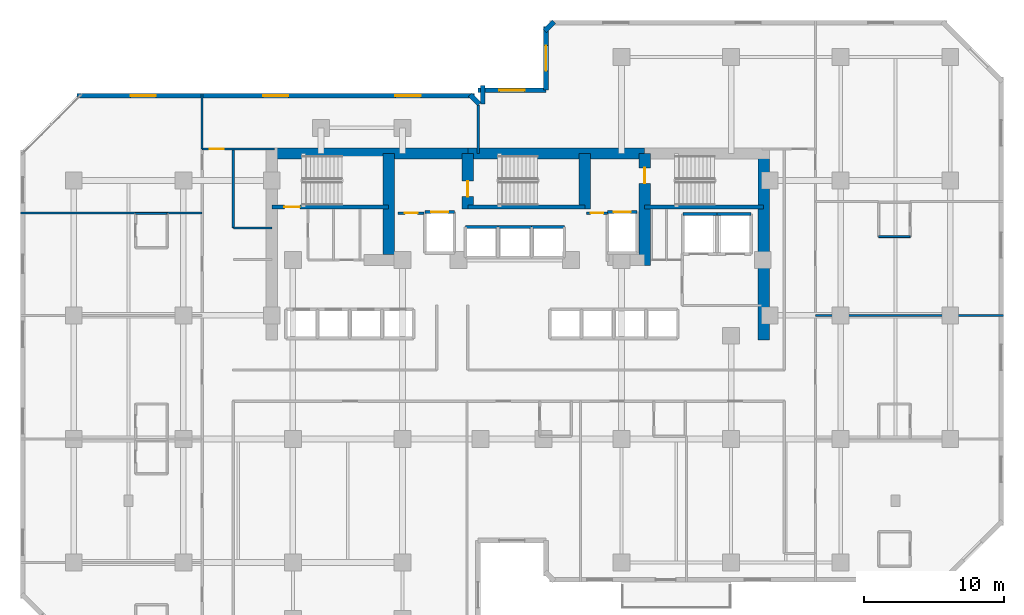
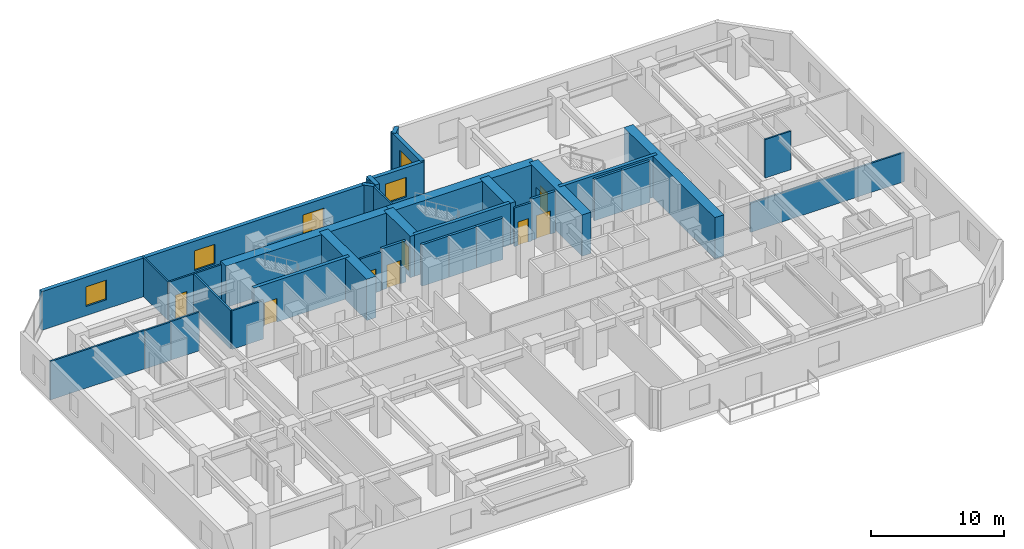
# One storey, part 9 of 12: 35 walls, 8 doors, 5 windows, 13 openings.
"""IFC4 building model written with IfcOpenShell, lengths in metres."""

from ifc_helpers import new_model, si_unit, direction, frame, frame_2d, origin, place, context, subcontext, project, spatial, rectangle, extrude, material, layer, layer_set, type_object, element, fill, save


model = new_model("IFC4")

# Units and contexts
model_context = context("Model", 3, precision=1e-05, world=origin(), true_north=direction((0.0, 1.0)))
body_context = subcontext(model_context, "Body", "Model", "MODEL_VIEW")
ifc_project = project(units=[si_unit("LENGTHUNIT", "METRE"), si_unit("AREAUNIT", "SQUARE_METRE"), si_unit("VOLUMEUNIT", "CUBIC_METRE"), si_unit("PLANEANGLEUNIT", "RADIAN"), si_unit("MASSUNIT", "GRAM", prefix="KILO")], contexts=[model_context])

# Site, building, storey
site_placement = place(None, origin())
site = spatial("IfcSite", under=ifc_project, at=site_placement, CompositionType="ELEMENT")
building_placement = place(site_placement, origin())
building = spatial("IfcBuilding", under=site, at=building_placement, Name="Kestravale Grand Hotel", CompositionType="ELEMENT")
storey_placement = place(building_placement, frame((0.0, 0.0, 91.800048828125)))
storey = spatial("IfcBuildingStorey", under=building, at=storey_placement, Name="L22", CompositionType="ELEMENT", Elevation=91.800048828125)

# Walls
ifc_material_1 = material(Name="Concrete f'c 60 MPa", Category="concrete")
ifc_layer_1 = layer(ifc_material_1, 0.800048828125)
ifc_layer_set_1 = layer_set([ifc_layer_1], Name="EW-CORE-800")
wall_type_1 = type_object("IfcWallType", Name="EW-CORE-800", PredefinedType="SHEAR", material=ifc_layer_set_1)
wall_1_placement = place(storey_placement, frame((21.5, 40.320068359375, 0.0), z_axis=(0.0, 0.0, 1.0), x_axis=(1.0, 0.0, 0.0)))
element("IfcWall", 1, at=wall_1_placement, inside=storey, type_object=wall_type_1, Name="L22 core shear wall N1", PredefinedType="SHEAR", context=body_context, shape_type="SweptSolid", body=[
    extrude(rectangle(XDim=14.35009765625, YDim=0.800048828125, at=frame_2d((7.175048828125, 0.0))), origin(), (0.0, 0.0, 1.0), 3.800048828125),
])
wall_2_placement = place(storey_placement, frame((35.85009765625, 40.320068359375, 0.0), z_axis=(0.0, 0.0, 1.0), x_axis=(1.0, 0.0, 0.0)))
element("IfcWall", 2, at=wall_2_placement, inside=storey, type_object=wall_type_1, Name="L22 core shear wall N2", PredefinedType="SHEAR", context=body_context, shape_type="SweptSolid", body=[
    extrude(rectangle(XDim=12.599853515625, YDim=0.800048828125, at=frame_2d((6.2998046875, 0.0))), origin(), (0.0, 0.0, 1.0), 3.800048828125),
])
wall_3_placement = place(storey_placement, frame((56.919921875, 27.050048828125, 0.0), z_axis=(0.0, 0.0, 1.0), x_axis=(0.0, 1.0, 0.0)))
element("IfcWall", 3, at=wall_3_placement, inside=storey, type_object=wall_type_1, Name="L22 core shear wall E1", PredefinedType="SHEAR", context=body_context, shape_type="SweptSolid", body=[
    extrude(rectangle(XDim=13.669921875, YDim=0.800048828125, at=frame_2d((6.8349609375, 0.0))), origin(), (0.0, 0.0, 1.0), 3.800048828125),
])
wall_4_placement = place(storey_placement, frame((30.219970703125, 33.14990234375, 0.0), z_axis=(0.0, 0.0, 1.0), x_axis=(0.0, 1.0, 0.0)))
element("IfcWall", 4, at=wall_4_placement, inside=storey, type_object=wall_type_1, Name="L22 core shear wall X1", PredefinedType="SHEAR", context=body_context, shape_type="SweptSolid", body=[
    extrude(rectangle(XDim=7.170166015625, YDim=0.800048828125, at=frame_2d((3.5849609375, 0.0))), origin(), (0.0, 0.0, 1.0), 3.800048828125),
])

# Wall, opening, door
wall_5_placement = place(storey_placement, frame((35.85009765625, 36.3701171875, 0.0), z_axis=(0.0, 0.0, 1.0), x_axis=(0.0, 1.0, 0.0)))
wall_5 = element("IfcWall", 5, at=wall_5_placement, inside=storey, type_object=wall_type_1, Name="L22 core shear wall X2", PredefinedType="SHEAR", context=body_context, shape_type="SweptSolid", body=[
    extrude(rectangle(XDim=3.949951171875, YDim=0.800048828125, at=frame_2d((1.97509765625, 0.0))), origin(), (0.0, 0.0, 1.0), 3.800048828125),
])
opening_1_placement = place(wall_5_placement, frame((0.8798828125, 0.0, 0.0)))
opening_1 = element("IfcOpeningElement", 6, at=opening_1_placement, cuts=wall_5, Name="Opening D-ST-1100", PredefinedType="OPENING", context=body_context, shape_type="SweptSolid", body=[
    extrude(rectangle(XDim=1.10009765625, YDim=2.14990234375, at=frame_2d((0.550048828125, 1.074951171875))), frame((0.0, 0.409912109375, 0.0), z_axis=(0.0, -1.0, 0.0), x_axis=(1.0, 0.0, 0.0)), (0.0, 0.0, 1.0), 0.820068359375),
])
ifc_material_2 = material(Name="Galvanised 90-minute fire-rated steel stair door", Category="steel")
door_type_1 = type_object("IfcDoorType", Name="D-ST-1100", OperationType="NOTDEFINED", PredefinedType="DOOR", material=ifc_material_2)
door_1_placement = place(opening_1_placement, origin())
door_1 = element("IfcDoor", 7, at=door_1_placement, inside=storey, type_object=door_type_1, Name="L22 Stair ST-2 FSAE fire door", OperationType="SINGLE_SWING_RIGHT", OverallHeight=2.14990234375, OverallWidth=1.10009765625, PredefinedType="DOOR", context=body_context, shape_type="SweptSolid", body=[
    extrude(rectangle(XDim=1.10009765625, YDim=2.14990234375, at=frame_2d((0.550048828125, 1.074951171875))), frame((0.0, 0.02490234375, 0.0), z_axis=(0.0, -1.0, 0.0), x_axis=(1.0, 0.0, 0.0)), (0.0, 0.0, 1.0), 0.050048828125),
])
fill(opening_1, door_1)

# Wall
wall_6_placement = place(storey_placement, frame((44.179931640625, 36.3701171875, 0.0), z_axis=(0.0, 0.0, 1.0), x_axis=(0.0, 1.0, 0.0)))
element("IfcWall", 8, at=wall_6_placement, inside=storey, type_object=wall_type_1, Name="L22 core shear wall X3", PredefinedType="SHEAR", context=body_context, shape_type="SweptSolid", body=[
    extrude(rectangle(XDim=3.949951171875, YDim=0.800048828125, at=frame_2d((1.97509765625, 0.0))), origin(), (0.0, 0.0, 1.0), 3.800048828125),
])

# Wall, opening, door
wall_7_placement = place(storey_placement, frame((48.449951171875, 32.35009765625, 0.0), z_axis=(0.0, 0.0, 1.0), x_axis=(0.0, 1.0, 0.0)))
wall_7 = element("IfcWall", 9, at=wall_7_placement, inside=storey, type_object=wall_type_1, Name="L22 core shear wall X4", PredefinedType="SHEAR", context=body_context, shape_type="SweptSolid", body=[
    extrude(rectangle(XDim=7.969970703125, YDim=0.800048828125, at=frame_2d((3.98486328125, 0.0))), origin(), (0.0, 0.0, 1.0), 3.800048828125),
])
opening_2_placement = place(wall_7_placement, frame((5.85009765625, 0.0, 0.0)))
opening_2 = element("IfcOpeningElement", 10, at=opening_2_placement, cuts=wall_7, Name="Opening D-ST-1100", PredefinedType="OPENING", context=body_context, shape_type="SweptSolid", body=[
    extrude(rectangle(XDim=1.10009765625, YDim=2.14990234375, at=frame_2d((0.550048828125, 1.074951171875))), frame((0.0, 0.409912109375, 0.0), z_axis=(0.0, -1.0, 0.0), x_axis=(1.0, 0.0, 0.0)), (0.0, 0.0, 1.0), 0.820068359375),
])
door_2_placement = place(opening_2_placement, origin())
door_2 = element("IfcDoor", 11, at=door_2_placement, inside=storey, type_object=door_type_1, Name="L22 Stair ST-3 FSAE fire door", OperationType="SINGLE_SWING_RIGHT", OverallHeight=2.14990234375, OverallWidth=1.10009765625, PredefinedType="DOOR", context=body_context, shape_type="SweptSolid", body=[
    extrude(rectangle(XDim=1.10009765625, YDim=2.14990234375, at=frame_2d((0.550048828125, 1.074951171875))), frame((0.0, 0.02490234375, 0.0), z_axis=(0.0, -1.0, 0.0), x_axis=(1.0, 0.0, 0.0)), (0.0, 0.0, 1.0), 0.050048828125),
])
fill(opening_2, door_2)

# Wall
ifc_material_3 = material(Name="Precast concrete f'c 45 MPa", Category="concrete")
ifc_layer_2 = layer(ifc_material_3, 0.340087890625)
ifc_layer_set_2 = layer_set([ifc_layer_2], Name="EW-PREC-340")
wall_type_2 = type_object("IfcWallType", Name="EW-PREC-340", PredefinedType="SOLIDWALL", material=ifc_layer_set_2)
wall_8_placement = place(storey_placement, frame((41.99853515625, 49.7080078125, 0.0), z_axis=(0.0, 0.0, 1.0), x_axis=(-0.707238225886, -0.706975312048, 0.0)))
element("IfcWall", 12, at=wall_8_placement, inside=storey, type_object=wall_type_2, Name="L22 fluted precast facade wall 12", PredefinedType="SOLIDWALL", context=body_context, shape_type="SweptSolid", body=[
    extrude(rectangle(XDim=0.9287109375, YDim=0.340087890625, at=frame_2d((0.46435546875, 0.0))), origin(), (0.0, 0.0, 1.0), 3.5400390625),
])

# Wall, opening, window
wall_9_placement = place(storey_placement, frame((41.419921875, 49.3701171875, 0.0), z_axis=(0.0, 0.0, 1.0), x_axis=(0.0, -1.0, 0.0)))
wall_9 = element("IfcWall", 13, at=wall_9_placement, inside=storey, type_object=wall_type_2, Name="L22 fluted precast facade wall 13", PredefinedType="SOLIDWALL", context=body_context, shape_type="SweptSolid", body=[
    extrude(rectangle(XDim=4.5400390625, YDim=0.340087890625, at=frame_2d((2.27001953125, 0.0))), origin(), (0.0, 0.0, 1.0), 3.5400390625),
])
opening_3_placement = place(wall_9_placement, frame((1.3701171875, 0.0, 0.85009765625)))
opening_3 = element("IfcOpeningElement", 14, at=opening_3_placement, cuts=wall_9, Name="Opening W-GUEST-1800", PredefinedType="OPENING", context=body_context, shape_type="SweptSolid", body=[
    extrude(rectangle(XDim=1.800048828125, YDim=1.800048828125, at=frame_2d((0.89990234375, 0.89990234375))), frame((0.0, 0.179931640625, 0.0), z_axis=(0.0, -1.0, 0.0), x_axis=(1.0, 0.0, 0.0)), (0.0, 0.0, 1.0), 0.360107421875),
])
ifc_material_4 = material(Name="Insulated low-E double glazing in aluminium frame", Category="aluminium")
window_type = type_object("IfcWindowType", Name="W-GUEST-1800", PartitioningType="DOUBLE_PANEL_VERTICAL", PredefinedType="WINDOW", material=ifc_material_4)
window_1_placement = place(opening_3_placement, origin())
window_1 = element("IfcWindow", 15, at=window_1_placement, inside=storey, type_object=window_type, Name="L22 exterior window 13.1", OverallHeight=1.800048828125, OverallWidth=1.800048828125, PartitioningType="SINGLE_PANEL", PredefinedType="WINDOW", context=body_context, shape_type="SweptSolid", body=[
    extrude(rectangle(XDim=1.800048828125, YDim=1.800048828125, at=frame_2d((0.89990234375, 0.89990234375))), frame((0.0, 0.030029296875, 0.0), z_axis=(0.0, -1.0, 0.0), x_axis=(1.0, 0.0, 0.0)), (0.0, 0.0, 1.0), 0.06005859375),
])
fill(opening_3, window_1)

wall_10_placement = place(storey_placement, frame((41.419921875, 44.830078125, 0.0), z_axis=(0.0, 0.0, 1.0), x_axis=(-1.0, 0.0, 0.0)))
wall_10 = element("IfcWall", 16, at=wall_10_placement, inside=storey, type_object=wall_type_2, Name="L22 fluted precast facade wall 14", PredefinedType="SOLIDWALL", context=body_context, shape_type="SweptSolid", body=[
    extrude(rectangle(XDim=4.83984375, YDim=0.340087890625, at=frame_2d((2.419921875, 0.0))), origin(), (0.0, 0.0, 1.0), 3.5400390625),
])
opening_4_placement = place(wall_10_placement, frame((1.52001953125, 0.0, 0.85009765625)))
opening_4 = element("IfcOpeningElement", 17, at=opening_4_placement, cuts=wall_10, Name="Opening W-GUEST-1800", PredefinedType="OPENING", context=body_context, shape_type="SweptSolid", body=[
    extrude(rectangle(XDim=1.800048828125, YDim=1.800048828125, at=frame_2d((0.89990234375, 0.89990234375))), frame((0.0, 0.179931640625, 0.0), z_axis=(0.0, -1.0, 0.0), x_axis=(1.0, 0.0, 0.0)), (0.0, 0.0, 1.0), 0.360107421875),
])
window_2_placement = place(opening_4_placement, origin())
window_2 = element("IfcWindow", 18, at=window_2_placement, inside=storey, type_object=window_type, Name="L22 exterior window 14.1", OverallHeight=1.800048828125, OverallWidth=1.800048828125, PartitioningType="SINGLE_PANEL", PredefinedType="WINDOW", context=body_context, shape_type="SweptSolid", body=[
    extrude(rectangle(XDim=1.800048828125, YDim=1.800048828125, at=frame_2d((0.89990234375, 0.89990234375))), frame((0.0, 0.030029296875, 0.0), z_axis=(0.0, -1.0, 0.0), x_axis=(1.0, 0.0, 0.0)), (0.0, 0.0, 1.0), 0.06005859375),
])
fill(opening_4, window_2)

# Walls
wall_11_placement = place(storey_placement, frame((36.919921875, 45.169921875, 0.0), z_axis=(0.0, 0.0, 1.0), x_axis=(0.0, -1.0, 0.0)))
element("IfcWall", 19, at=wall_11_placement, inside=storey, type_object=wall_type_2, Name="L22 fluted precast facade wall 15", PredefinedType="SOLIDWALL", context=body_context, shape_type="SweptSolid", body=[
    extrude(rectangle(XDim=1.33984375, YDim=0.340087890625, at=frame_2d((0.669921875, 0.0))), origin(), (0.0, 0.0, 1.0), 3.5400390625),
])
wall_12_placement = place(storey_placement, frame((36.658203125, 43.8515625, 0.0), z_axis=(0.0, 0.0, 1.0), x_axis=(-0.707238225886, 0.706975312048, 0.0)))
element("IfcWall", 20, at=wall_12_placement, inside=storey, type_object=wall_type_2, Name="L22 fluted precast facade wall 16", PredefinedType="SOLIDWALL", context=body_context, shape_type="SweptSolid", body=[
    extrude(rectangle(XDim=0.9287109375, YDim=0.340087890625, at=frame_2d((0.46435546875, 0.0))), origin(), (0.0, 0.0, 1.0), 3.5400390625),
])

# Wall, openings, windows
wall_13_placement = place(storey_placement, frame((36.320068359375, 44.429931640625, 0.0), z_axis=(0.0, 0.0, 1.0), x_axis=(-1.0, 0.0, 0.0)))
wall_13 = element("IfcWall", 21, at=wall_13_placement, inside=storey, type_object=wall_type_2, Name="L22 fluted precast facade wall 17", PredefinedType="SOLIDWALL", context=body_context, shape_type="SweptSolid", body=[
    extrude(rectangle(XDim=28.2900390625, YDim=0.340087890625, at=frame_2d((14.14501953125, 0.0))), origin(), (0.0, 0.0, 1.0), 3.5400390625),
])
opening_5_placement = place(wall_13_placement, frame((3.81494140625, 0.0, 0.85009765625)))
opening_5 = element("IfcOpeningElement", 22, at=opening_5_placement, cuts=wall_13, Name="Opening W-GUEST-1800", PredefinedType="OPENING", context=body_context, shape_type="SweptSolid", body=[
    extrude(rectangle(XDim=1.800048828125, YDim=1.800048828125, at=frame_2d((0.89990234375, 0.89990234375))), frame((0.0, 0.179931640625, 0.0), z_axis=(0.0, -1.0, 0.0), x_axis=(1.0, 0.0, 0.0)), (0.0, 0.0, 1.0), 0.360107421875),
])
opening_6_placement = place(wall_13_placement, frame((13.2451171875, 0.0, 0.85009765625)))
opening_6 = element("IfcOpeningElement", 23, at=opening_6_placement, cuts=wall_13, Name="Opening W-GUEST-1800", PredefinedType="OPENING", context=body_context, shape_type="SweptSolid", body=[
    extrude(rectangle(XDim=1.800048828125, YDim=1.800048828125, at=frame_2d((0.89990234375, 0.89990234375))), frame((0.0, 0.179931640625, 0.0), z_axis=(0.0, -1.0, 0.0), x_axis=(1.0, 0.0, 0.0)), (0.0, 0.0, 1.0), 0.360107421875),
])
opening_7_placement = place(wall_13_placement, frame((22.675048828125, 0.0, 0.85009765625)))
opening_7 = element("IfcOpeningElement", 24, at=opening_7_placement, cuts=wall_13, Name="Opening W-GUEST-1800", PredefinedType="OPENING", context=body_context, shape_type="SweptSolid", body=[
    extrude(rectangle(XDim=1.800048828125, YDim=1.800048828125, at=frame_2d((0.89990234375, 0.89990234375))), frame((0.0, 0.179931640625, 0.0), z_axis=(0.0, -1.0, 0.0), x_axis=(1.0, 0.0, 0.0)), (0.0, 0.0, 1.0), 0.360107421875),
])
window_3_placement = place(opening_5_placement, origin())
window_3 = element("IfcWindow", 25, at=window_3_placement, inside=storey, type_object=window_type, Name="L22 exterior window 17.1", OverallHeight=1.800048828125, OverallWidth=1.800048828125, PartitioningType="SINGLE_PANEL", PredefinedType="WINDOW", context=body_context, shape_type="SweptSolid", body=[
    extrude(rectangle(XDim=1.800048828125, YDim=1.800048828125, at=frame_2d((0.89990234375, 0.89990234375))), frame((0.0, 0.030029296875, 0.0), z_axis=(0.0, -1.0, 0.0), x_axis=(1.0, 0.0, 0.0)), (0.0, 0.0, 1.0), 0.06005859375),
])
fill(opening_5, window_3)
window_4_placement = place(opening_6_placement, origin())
window_4 = element("IfcWindow", 26, at=window_4_placement, inside=storey, type_object=window_type, Name="L22 exterior window 17.2", OverallHeight=1.800048828125, OverallWidth=1.800048828125, PartitioningType="SINGLE_PANEL", PredefinedType="WINDOW", context=body_context, shape_type="SweptSolid", body=[
    extrude(rectangle(XDim=1.800048828125, YDim=1.800048828125, at=frame_2d((0.89990234375, 0.89990234375))), frame((0.0, 0.030029296875, 0.0), z_axis=(0.0, -1.0, 0.0), x_axis=(1.0, 0.0, 0.0)), (0.0, 0.0, 1.0), 0.06005859375),
])
fill(opening_6, window_4)
window_5_placement = place(opening_7_placement, origin())
window_5 = element("IfcWindow", 27, at=window_5_placement, inside=storey, type_object=window_type, Name="L22 exterior window 17.3", OverallHeight=1.800048828125, OverallWidth=1.800048828125, PartitioningType="SINGLE_PANEL", PredefinedType="WINDOW", context=body_context, shape_type="SweptSolid", body=[
    extrude(rectangle(XDim=1.800048828125, YDim=1.800048828125, at=frame_2d((0.89990234375, 0.89990234375))), frame((0.0, 0.030029296875, 0.0), z_axis=(0.0, -1.0, 0.0), x_axis=(1.0, 0.0, 0.0)), (0.0, 0.0, 1.0), 0.06005859375),
])
fill(opening_7, window_5)

# Wall, opening, door
ifc_material_5 = material(Name="Concrete f'c 45 MPa", Category="concrete")
ifc_layer_3 = layer(ifc_material_5, 0.300048828125)
ifc_layer_set_3 = layer_set([ifc_layer_3], Name="EW-STAIR-300")
wall_type_3 = type_object("IfcWallType", Name="EW-STAIR-300", PredefinedType="SHEAR", material=ifc_layer_set_3)
wall_14_placement = place(storey_placement, frame((21.89990234375, 36.52001953125, 0.0), z_axis=(0.0, 0.0, 1.0), x_axis=(1.0, 0.0, 0.0)))
wall_14 = element("IfcWall", 28, at=wall_14_placement, inside=storey, type_object=wall_type_3, Name="L22 stair enclosure shear wall SST1", PredefinedType="SHEAR", context=body_context, shape_type="SweptSolid", body=[
    extrude(rectangle(XDim=8.320068359375, YDim=0.300048828125, at=frame_2d((4.16015625, 0.0))), origin(), (0.0, 0.0, 1.0), 3.800048828125),
])
opening_8_placement = place(wall_14_placement, frame((0.89990234375, 0.0, 0.0)))
opening_8 = element("IfcOpeningElement", 29, at=opening_8_placement, cuts=wall_14, Name="Opening D-ST-1100", PredefinedType="OPENING", context=body_context, shape_type="SweptSolid", body=[
    extrude(rectangle(XDim=1.10009765625, YDim=2.14990234375, at=frame_2d((0.550048828125, 1.074951171875))), frame((0.0, 0.159912109375, 0.0), z_axis=(0.0, -1.0, 0.0), x_axis=(1.0, 0.0, 0.0)), (0.0, 0.0, 1.0), 0.320068359375),
])
door_3_placement = place(opening_8_placement, origin())
door_3 = element("IfcDoor", 30, at=door_3_placement, inside=storey, type_object=door_type_1, Name="L22 Stair ST-1 fire door", OperationType="SINGLE_SWING_RIGHT", OverallHeight=2.14990234375, OverallWidth=1.10009765625, PredefinedType="DOOR", context=body_context, shape_type="SweptSolid", body=[
    extrude(rectangle(XDim=1.10009765625, YDim=2.14990234375, at=frame_2d((0.550048828125, 1.074951171875))), frame((0.0, 0.02490234375, 0.0), z_axis=(0.0, -1.0, 0.0), x_axis=(1.0, 0.0, 0.0)), (0.0, 0.0, 1.0), 0.050048828125),
])
fill(opening_8, door_3)

# Walls
wall_15_placement = place(storey_placement, frame((35.85009765625, 36.52001953125, 0.0), z_axis=(0.0, 0.0, 1.0), x_axis=(1.0, 0.0, 0.0)))
element("IfcWall", 31, at=wall_15_placement, inside=storey, type_object=wall_type_3, Name="L22 stair enclosure shear wall SST2", PredefinedType="SHEAR", context=body_context, shape_type="SweptSolid", body=[
    extrude(rectangle(XDim=8.329833984375, YDim=0.300048828125, at=frame_2d((4.1650390625, 0.0))), origin(), (0.0, 0.0, 1.0), 3.800048828125),
])
wall_16_placement = place(storey_placement, frame((48.449951171875, 36.52001953125, 0.0), z_axis=(0.0, 0.0, 1.0), x_axis=(1.0, 0.0, 0.0)))
element("IfcWall", 32, at=wall_16_placement, inside=storey, type_object=wall_type_3, Name="L22 stair enclosure shear wall SST3", PredefinedType="SHEAR", context=body_context, shape_type="SweptSolid", body=[
    extrude(rectangle(XDim=8.469970703125, YDim=0.300048828125, at=frame_2d((4.23486328125, 0.0))), origin(), (0.0, 0.0, 1.0), 3.800048828125),
])
ifc_material_6 = material(Name="Acoustic fire-rated gypsum board partition", Category="other")
ifc_layer_4 = layer(ifc_material_6, 0.159912109375)
ifc_layer_set_4 = layer_set([ifc_layer_4], Name="IW-CORR-160")
wall_type_4 = type_object("IfcWallType", Name="IW-CORR-160", PredefinedType="PARTITIONING", material=ifc_layer_set_4)
wall_17_placement = place(storey_placement, frame((19.159912109375, 35.02001953125, 0.0), z_axis=(0.0, 0.0, 1.0), x_axis=(0.0, 1.0, 0.0)))
element("IfcWall", 33, at=wall_17_placement, inside=storey, type_object=wall_type_4, Name="W-L22-SW-EN", PredefinedType="PARTITIONING", context=body_context, shape_type="SweptSolid", body=[
    extrude(rectangle(XDim=5.6298828125, YDim=0.159912109375, at=frame_2d((2.81494140625, 0.0))), origin(), (0.0, 0.0, 1.0), 3.5400390625),
])
wall_18_placement = place(storey_placement, frame((19.159912109375, 35.02001953125, 0.0), z_axis=(0.0, 0.0, 1.0), x_axis=(1.0, 0.0, 0.0)))
element("IfcWall", 34, at=wall_18_placement, inside=storey, type_object=wall_type_4, Name="W-L22-SW-CN", PredefinedType="PARTITIONING", context=body_context, shape_type="SweptSolid", body=[
    extrude(rectangle(XDim=2.739990234375, YDim=0.159912109375, at=frame_2d((1.3701171875, 0.0))), origin(), (0.0, 0.0, 1.0), 3.5400390625),
])

# Wall, opening, door
ifc_material_7 = material(Name="Fire-rated gypsum board on steel studs with mineral wool", Category="steel")
ifc_layer_5 = layer(ifc_material_7, 0.179931640625)
ifc_layer_set_5 = layer_set([ifc_layer_5], Name="IW-FSAE-180")
wall_type_5 = type_object("IfcWallType", Name="IW-FSAE-180", PredefinedType="PARTITIONING", material=ifc_layer_set_5)
wall_19_placement = place(storey_placement, frame((30.89990234375, 36.080078125, 0.0), z_axis=(0.0, 0.0, 1.0), x_axis=(1.0, 0.0, 0.0)))
wall_19 = element("IfcWall", 35, at=wall_19_placement, inside=storey, type_object=wall_type_5, Name="L22 FSAE Lobby 1 smoke barrier", PredefinedType="PARTITIONING", context=body_context, shape_type="SweptSolid", body=[
    extrude(rectangle(XDim=1.85009765625, YDim=0.179931640625, at=frame_2d((0.925048828125, 0.0))), origin(), (0.0, 0.0, 1.0), 3.5400390625),
])
opening_9_placement = place(wall_19_placement, frame((0.47998046875, 0.0, 0.0)))
opening_9 = element("IfcOpeningElement", 36, at=opening_9_placement, cuts=wall_19, Name="Opening D-FSAE-1000", PredefinedType="OPENING", context=body_context, shape_type="SweptSolid", body=[
    extrude(rectangle(XDim=0.89990234375, YDim=2.14990234375, at=frame_2d((0.449951171875, 1.074951171875))), frame((0.0, 0.099853515625, 0.0), z_axis=(0.0, -1.0, 0.0), x_axis=(1.0, 0.0, 0.0)), (0.0, 0.0, 1.0), 0.199951171875),
])
ifc_material_8 = material(Name="Smoke-gasketed FSAE lobby fire door", Category="steel")
door_type_2 = type_object("IfcDoorType", Name="D-FSAE-1000", OperationType="NOTDEFINED", PredefinedType="DOOR", material=ifc_material_8)
door_4_placement = place(opening_9_placement, origin())
door_4 = element("IfcDoor", 37, at=door_4_placement, inside=storey, type_object=door_type_2, Name="L22 FSAE Lobby 1 fire door", OperationType="SINGLE_SWING_RIGHT", OverallHeight=2.14990234375, OverallWidth=0.89990234375, PredefinedType="DOOR", context=body_context, shape_type="SweptSolid", body=[
    extrude(rectangle(XDim=0.89990234375, YDim=2.14990234375, at=frame_2d((0.449951171875, 1.074951171875))), frame((0.0, 0.02490234375, 0.0), z_axis=(0.0, -1.0, 0.0), x_axis=(1.0, 0.0, 0.0)), (0.0, 0.0, 1.0), 0.050048828125),
])
fill(opening_9, door_4)

wall_20_placement = place(storey_placement, frame((44.300048828125, 36.080078125, 0.0), z_axis=(0.0, 0.0, 1.0), x_axis=(1.0, 0.0, 0.0)))
wall_20 = element("IfcWall", 38, at=wall_20_placement, inside=storey, type_object=wall_type_5, Name="L22 FSAE Lobby 2 smoke barrier", PredefinedType="PARTITIONING", context=body_context, shape_type="SweptSolid", body=[
    extrude(rectangle(XDim=1.5, YDim=0.179931640625, at=frame_2d((0.75, 0.0))), origin(), (0.0, 0.0, 1.0), 3.5400390625),
])
opening_10_placement = place(wall_20_placement, frame((0.300048828125, 0.0, 0.0)))
opening_10 = element("IfcOpeningElement", 39, at=opening_10_placement, cuts=wall_20, Name="Opening D-FSAE-1000", PredefinedType="OPENING", context=body_context, shape_type="SweptSolid", body=[
    extrude(rectangle(XDim=0.89990234375, YDim=2.14990234375, at=frame_2d((0.449951171875, 1.074951171875))), frame((0.0, 0.099853515625, 0.0), z_axis=(0.0, -1.0, 0.0), x_axis=(1.0, 0.0, 0.0)), (0.0, 0.0, 1.0), 0.199951171875),
])
door_5_placement = place(opening_10_placement, origin())
door_5 = element("IfcDoor", 40, at=door_5_placement, inside=storey, type_object=door_type_2, Name="L22 FSAE Lobby 2 fire door", OperationType="SINGLE_SWING_LEFT", OverallHeight=2.14990234375, OverallWidth=0.89990234375, PredefinedType="DOOR", context=body_context, shape_type="SweptSolid", body=[
    extrude(rectangle(XDim=0.89990234375, YDim=2.14990234375, at=frame_2d((0.449951171875, 1.074951171875))), frame((0.0, 0.02490234375, 0.0), z_axis=(0.0, -1.0, 0.0), x_axis=(1.0, 0.0, 0.0)), (0.0, 0.0, 1.0), 0.050048828125),
])
fill(opening_10, door_5)

# Walls
ifc_material_9 = material(Name="Moisture-resistant tile-backer plumbing chase wall", Category="other")
ifc_layer_6 = layer(ifc_material_9, 0.139892578125)
ifc_layer_set_6 = layer_set([ifc_layer_6], Name="IW-PLB-140")
wall_type_6 = type_object("IfcWallType", Name="IW-PLB-140", PredefinedType="PLUMBINGWALL", material=ifc_layer_set_6)
for number, where, z_axis, x_axis, name in (
    (41, (12.199951171875, 36.06005859375, 0.0), (0.0, 0.0, 1.0), (1.0, 0.0, 0.0), "W-L22-U06-BN"),
    (42, (65.10009765625, 34.409912109375, 0.0), (0.0, 0.0, 1.0), (1.0, 0.0, 0.0), "W-L22-U09-BS"),
):
    element("IfcWall", number, at=place(storey_placement, frame(where, z_axis=z_axis, x_axis=x_axis)), inside=storey, type_object=wall_type_6, Name=name, PredefinedType="PLUMBINGWALL", context=body_context, shape_type="SweptSolid", body=[
        extrude(rectangle(XDim=2.25, YDim=0.139892578125, at=frame_2d((1.125, 0.0))), origin(), (0.0, 0.0, 1.0), 3.5400390625),
    ])
ifc_material_10 = material(Name="Concrete f'c 45 MPa", Category="concrete")
ifc_layer_7 = layer(ifc_material_10, 0.219970703125)
ifc_layer_set_7 = layer_set([ifc_layer_7], Name="IW-SHAFT-220")
wall_type_7 = type_object("IfcWallType", Name="IW-SHAFT-220", PredefinedType="SHEAR", material=ifc_layer_set_7)
wall_21_placement = place(storey_placement, frame((35.679931640625, 35.080078125, 0.0), z_axis=(0.0, 0.0, 1.0), x_axis=(1.0, 0.0, 0.0)))
element("IfcWall", 43, at=wall_21_placement, inside=storey, type_object=wall_type_7, Name="L22 PL-X1 north shaft wall", PredefinedType="SHEAR", context=body_context, shape_type="SweptSolid", body=[
    extrude(rectangle(XDim=2.320068359375, YDim=0.219970703125, at=frame_2d((1.16015625, 0.0))), origin(), (0.0, 0.0, 1.0), 3.800048828125),
])
wall_22_placement = place(storey_placement, frame((38.0, 35.080078125, 0.0), z_axis=(0.0, 0.0, 1.0), x_axis=(1.0, 0.0, 0.0)))
element("IfcWall", 44, at=wall_22_placement, inside=storey, type_object=wall_type_7, Name="L22 PL-X2 north shaft wall", PredefinedType="SHEAR", context=body_context, shape_type="SweptSolid", body=[
    extrude(rectangle(XDim=2.39990234375, YDim=0.219970703125, at=frame_2d((1.199951171875, 0.0))), origin(), (0.0, 0.0, 1.0), 3.800048828125),
])
wall_23_placement = place(storey_placement, frame((40.39990234375, 35.080078125, 0.0), z_axis=(0.0, 0.0, 1.0), x_axis=(1.0, 0.0, 0.0)))
element("IfcWall", 45, at=wall_23_placement, inside=storey, type_object=wall_type_7, Name="L22 PL-X3 north shaft wall", PredefinedType="SHEAR", context=body_context, shape_type="SweptSolid", body=[
    extrude(rectangle(XDim=2.320068359375, YDim=0.219970703125, at=frame_2d((1.16015625, 0.0))), origin(), (0.0, 0.0, 1.0), 3.800048828125),
])
wall_24_placement = place(storey_placement, frame((51.179931640625, 36.030029296875, 0.0), z_axis=(0.0, 0.0, 1.0), x_axis=(1.0, 0.0, 0.0)))
element("IfcWall", 46, at=wall_24_placement, inside=storey, type_object=wall_type_7, Name="L22 SL-1 north shaft wall", PredefinedType="SHEAR", context=body_context, shape_type="SweptSolid", body=[
    extrude(rectangle(XDim=2.420166015625, YDim=0.219970703125, at=frame_2d((1.2099609375, 0.0))), origin(), (0.0, 0.0, 1.0), 3.800048828125),
])
wall_25_placement = place(storey_placement, frame((53.60009765625, 36.030029296875, 0.0), z_axis=(0.0, 0.0, 1.0), x_axis=(1.0, 0.0, 0.0)))
element("IfcWall", 47, at=wall_25_placement, inside=storey, type_object=wall_type_7, Name="L22 SL-2 north shaft wall", PredefinedType="SHEAR", context=body_context, shape_type="SweptSolid", body=[
    extrude(rectangle(XDim=2.419921875, YDim=0.219970703125, at=frame_2d((1.2099609375, 0.0))), origin(), (0.0, 0.0, 1.0), 3.800048828125),
])

# Wall, opening, door
wall_26_placement = place(storey_placement, frame((32.804931640625, 36.155029296875, 0.0), z_axis=(0.0, 0.0, 1.0), x_axis=(1.0, 0.0, 0.0)))
wall_26 = element("IfcWall", 48, at=wall_26_placement, inside=storey, type_object=wall_type_7, Name="L22 FL-1 north shaft wall", PredefinedType="SHEAR", context=body_context, shape_type="SweptSolid", body=[
    extrude(rectangle(XDim=2.090087890625, YDim=0.219970703125, at=frame_2d((1.044921875, 0.0))), origin(), (0.0, 0.0, 1.0), 3.800048828125),
])
opening_11_placement = place(wall_26_placement, frame((0.445068359375, 0.0, 0.0)))
opening_11 = element("IfcOpeningElement", 49, at=opening_11_placement, cuts=wall_26, Name="Opening LD-FSAE-1200", PredefinedType="OPENING", context=body_context, shape_type="SweptSolid", body=[
    extrude(rectangle(XDim=1.199951171875, YDim=2.14990234375, at=frame_2d((0.60009765625, 1.074951171875))), frame((0.0, 0.119873046875, 0.0), z_axis=(0.0, -1.0, 0.0), x_axis=(1.0, 0.0, 0.0)), (0.0, 0.0, 1.0), 0.239990234375),
])
ifc_material_11 = material(Name="Stainless fire-service sliding elevator landing door", Category="steel")
door_type_3 = type_object("IfcDoorType", Name="LD-FSAE-1200", OperationType="NOTDEFINED", PredefinedType="DOOR", material=ifc_material_11)
door_6_placement = place(opening_11_placement, origin())
door_6 = element("IfcDoor", 50, at=door_6_placement, inside=storey, type_object=door_type_3, Name="L22 FL-1 elevator landing sliding door", OperationType="DOUBLE_DOOR_SLIDING", OverallHeight=2.14990234375, OverallWidth=1.199951171875, PredefinedType="DOOR", context=body_context, shape_type="SweptSolid", body=[
    extrude(rectangle(XDim=1.199951171875, YDim=2.14990234375, at=frame_2d((0.60009765625, 1.074951171875))), frame((0.0, 0.02490234375, 0.0), z_axis=(0.0, -1.0, 0.0), x_axis=(1.0, 0.0, 0.0)), (0.0, 0.0, 1.0), 0.050048828125),
])
fill(opening_11, door_6)

wall_27_placement = place(storey_placement, frame((45.804931640625, 36.155029296875, 0.0), z_axis=(0.0, 0.0, 1.0), x_axis=(1.0, 0.0, 0.0)))
wall_27 = element("IfcWall", 51, at=wall_27_placement, inside=storey, type_object=wall_type_7, Name="L22 FL-2 north shaft wall", PredefinedType="SHEAR", context=body_context, shape_type="SweptSolid", body=[
    extrude(rectangle(XDim=2.090087890625, YDim=0.219970703125, at=frame_2d((1.044921875, 0.0))), origin(), (0.0, 0.0, 1.0), 3.800048828125),
])
opening_12_placement = place(wall_27_placement, frame((0.445068359375, 0.0, 0.0)))
opening_12 = element("IfcOpeningElement", 52, at=opening_12_placement, cuts=wall_27, Name="Opening LD-FSAE-1200", PredefinedType="OPENING", context=body_context, shape_type="SweptSolid", body=[
    extrude(rectangle(XDim=1.199951171875, YDim=2.14990234375, at=frame_2d((0.60009765625, 1.074951171875))), frame((0.0, 0.119873046875, 0.0), z_axis=(0.0, -1.0, 0.0), x_axis=(1.0, 0.0, 0.0)), (0.0, 0.0, 1.0), 0.239990234375),
])
door_7_placement = place(opening_12_placement, origin())
door_7 = element("IfcDoor", 53, at=door_7_placement, inside=storey, type_object=door_type_3, Name="L22 FL-2 elevator landing sliding door", OperationType="DOUBLE_DOOR_SLIDING", OverallHeight=2.14990234375, OverallWidth=1.199951171875, PredefinedType="DOOR", context=body_context, shape_type="SweptSolid", body=[
    extrude(rectangle(XDim=1.199951171875, YDim=2.14990234375, at=frame_2d((0.60009765625, 1.074951171875))), frame((0.0, 0.02490234375, 0.0), z_axis=(0.0, -1.0, 0.0), x_axis=(1.0, 0.0, 0.0)), (0.0, 0.0, 1.0), 0.050048828125),
])
fill(opening_12, door_7)

ifc_material_12 = material(Name="Double-stud STC 52 acoustic demising partition", Category="other")
ifc_layer_8 = layer(ifc_material_12, 0.14990234375)
ifc_layer_set_8 = layer_set([ifc_layer_8], Name="IW-UNIT-150")
wall_type_8 = type_object("IfcWallType", Name="IW-UNIT-150", PredefinedType="PARTITIONING", material=ifc_layer_set_8)
wall_28_placement = place(storey_placement, frame((16.93994140625, 40.64990234375, 0.0), z_axis=(0.0, 0.0, 1.0), x_axis=(1.0, 0.0, 0.0)))
wall_28 = element("IfcWall", 54, at=wall_28_placement, inside=storey, type_object=wall_type_8, Name="W-L22-SW-N", PredefinedType="PARTITIONING", context=body_context, shape_type="SweptSolid", body=[
    extrude(rectangle(XDim=5.16015625, YDim=0.14990234375, at=frame_2d((2.580078125, 0.0))), origin(), (0.0, 0.0, 1.0), 3.5400390625),
])
opening_13_placement = place(wall_28_placement, frame((0.550048828125, 0.0, 0.0)))
opening_13 = element("IfcOpeningElement", 55, at=opening_13_placement, cuts=wall_28, Name="Opening D-GUEST-1000", PredefinedType="OPENING", context=body_context, shape_type="SweptSolid", body=[
    extrude(rectangle(XDim=1.0, YDim=2.14990234375, at=frame_2d((0.5, 1.074951171875))), frame((0.0, 0.0849609375, 0.0), z_axis=(0.0, -1.0, 0.0), x_axis=(1.0, 0.0, 0.0)), (0.0, 0.0, 1.0), 0.169921875),
])
ifc_material_13 = material(Name="Accessible walnut veneer hotel entrance fire door", Category="wood")
door_type_4 = type_object("IfcDoorType", Name="D-GUEST-1000", OperationType="NOTDEFINED", PredefinedType="DOOR", material=ifc_material_13)
door_8_placement = place(opening_13_placement, origin())
door_8 = element("IfcDoor", 56, at=door_8_placement, inside=storey, type_object=door_type_4, Name="L22 NW Gallery Door", OperationType="SINGLE_SWING_RIGHT", OverallHeight=2.14990234375, OverallWidth=1.0, PredefinedType="DOOR", context=body_context, shape_type="SweptSolid", body=[
    extrude(rectangle(XDim=1.0, YDim=2.14990234375, at=frame_2d((0.5, 1.074951171875))), frame((0.0, 0.02490234375, 0.0), z_axis=(0.0, -1.0, 0.0), x_axis=(1.0, 0.0, 0.0)), (0.0, 0.0, 1.0), 0.050048828125),
])
fill(opening_13, door_8)

# Walls
wall_29_placement = place(storey_placement, frame((16.93994140625, 40.64990234375, 0.0), z_axis=(0.0, 0.0, 1.0), x_axis=(0.0, 1.0, 0.0)))
element("IfcWall", 57, at=wall_29_placement, inside=storey, type_object=wall_type_8, Name="W-L22-NGW-W", PredefinedType="PARTITIONING", context=body_context, shape_type="SweptSolid", body=[
    extrude(rectangle(XDim=3.93017578125, YDim=0.14990234375, at=frame_2d((1.965087890625, 0.0))), origin(), (0.0, 0.0, 1.0), 3.5400390625),
])
wall_30_placement = place(storey_placement, frame((36.60009765625, 40.320068359375, 0.0), z_axis=(0.0, 0.0, 1.0), x_axis=(0.0, 1.0, 0.0)))
element("IfcWall", 58, at=wall_30_placement, inside=storey, type_object=wall_type_8, Name="W-L22-NGM", PredefinedType="PARTITIONING", context=body_context, shape_type="SweptSolid", body=[
    extrude(rectangle(XDim=3.445068359375, YDim=0.14990234375, at=frame_2d((1.72265625, 0.0))), origin(), (0.0, 0.0, 1.0), 3.5400390625),
])
wall_31_placement = place(storey_placement, frame((4.02001953125, 36.10009765625, 0.0), z_axis=(0.0, 0.0, 1.0), x_axis=(1.0, 0.0, 0.0)))
element("IfcWall", 59, at=wall_31_placement, inside=storey, type_object=wall_type_8, Name="W-L22-WW-4", PredefinedType="PARTITIONING", context=body_context, shape_type="SweptSolid", body=[
    extrude(rectangle(XDim=8.179931640625, YDim=0.14990234375, at=frame_2d((4.08984375, 0.0))), origin(), (0.0, 0.0, 1.0), 3.5400390625),
])
wall_32_placement = place(storey_placement, frame((14.449951171875, 36.10009765625, 0.0), z_axis=(0.0, 0.0, 1.0), x_axis=(1.0, 0.0, 0.0)))
element("IfcWall", 60, at=wall_32_placement, inside=storey, type_object=wall_type_8, Name="W-L22-WW-4", PredefinedType="PARTITIONING", context=body_context, shape_type="SweptSolid", body=[
    extrude(rectangle(XDim=2.489990234375, YDim=0.14990234375, at=frame_2d((1.2451171875, 0.0))), origin(), (0.0, 0.0, 1.0), 3.5400390625),
])
wall_33_placement = place(storey_placement, frame((60.610107421875, 28.800048828125, 0.0), z_axis=(0.0, 0.0, 1.0), x_axis=(1.0, 0.0, 0.0)))
element("IfcWall", 61, at=wall_33_placement, inside=storey, type_object=wall_type_8, Name="W-L22-EW-2", PredefinedType="PARTITIONING", context=body_context, shape_type="SweptSolid", body=[
    extrude(rectangle(XDim=13.369873046875, YDim=0.14990234375, at=frame_2d((6.68505859375, 0.0))), origin(), (0.0, 0.0, 1.0), 2.678955078125),
])

save(model, "model.ifc")
